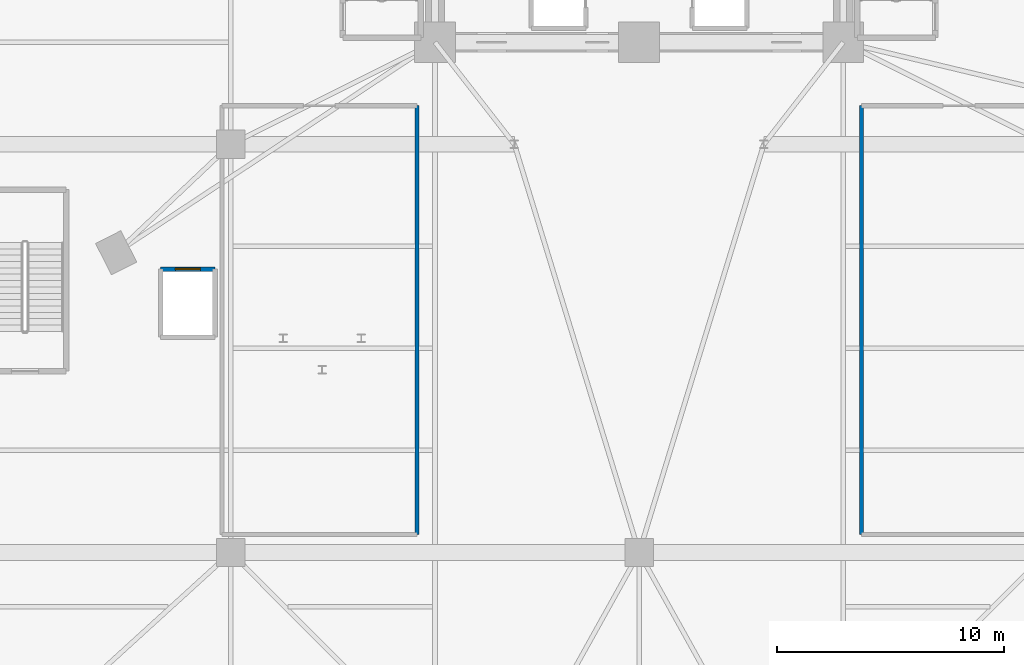
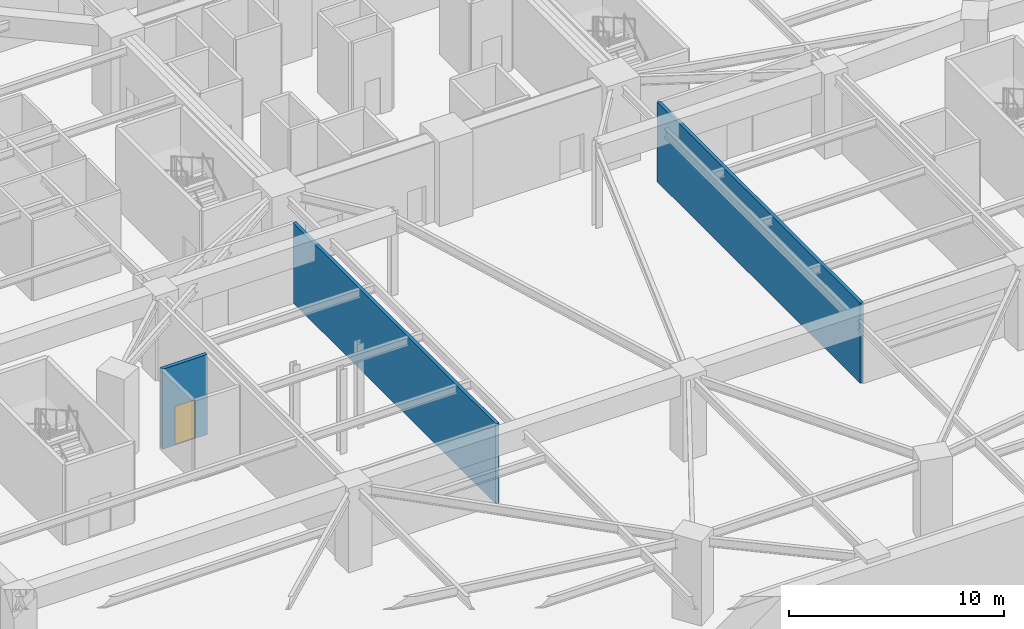
# One storey, part 10 of 20: 3 walls, 1 door, 1 opening.
"""IFC4 building model written with IfcOpenShell, lengths in metres."""

from ifc_helpers import new_model, si_unit, direction, frame, frame_2d, origin, place, context, subcontext, project, spatial, rectangle, extrude, source, transform, mapped, material, layer, layer_set, type_object, element, fill, save


model = new_model("IFC4")

# Units and contexts
model_context = context("Model", 3, precision=1e-05, world=origin(), true_north=direction((0.0, 1.0)))
body_context = subcontext(model_context, "Body", "Model", "MODEL_VIEW")
ifc_project = project(units=[si_unit("LENGTHUNIT", "METRE"), si_unit("AREAUNIT", "SQUARE_METRE"), si_unit("VOLUMEUNIT", "CUBIC_METRE"), si_unit("PLANEANGLEUNIT", "RADIAN"), si_unit("MASSUNIT", "GRAM", prefix="KILO")], contexts=[model_context])

# Site, building, storey
site_placement = place(None, origin())
site = spatial("IfcSite", under=ifc_project, at=site_placement, CompositionType="ELEMENT")
building_placement = place(site_placement, origin())
building = spatial("IfcBuilding", under=site, at=building_placement, Name="Liaohun Quay Tower", CompositionType="ELEMENT")
storey_placement = place(building_placement, frame((0.0, 0.0, -4.800048828125)))
storey = spatial("IfcBuildingStorey", under=building, at=storey_placement, Name="B1", CompositionType="ELEMENT", Elevation=-4.800048828125)

# Walls
ifc_material_1 = material(Name="Autoclaved aerated concrete blockwork", Category="masonry")
ifc_layer_1 = layer(ifc_material_1, 0.179931640625, Name="Autoclaved aerated concrete blockwork", Category="masonry")
ifc_layer_set_1 = layer_set([ifc_layer_1], Name="Autoclaved aerated concrete blockwork")
wall_type_1 = type_object("IfcWallType", Name="WAL-PRT-COR", PredefinedType="PARTITIONING", material=ifc_layer_set_1)
for number, where, z_axis, x_axis, name in (
    (1, (50.199951171875, 24.800048828125, 0.0), (0.0, 0.0, 1.0), (0.0, 1.0, 0.0), "B1 Interior Partition Wall 024"),
    (2, (69.800048828125, 24.800048828125, 0.0), (0.0, 0.0, 1.0), (0.0, 1.0, 0.0), "B1 Interior Partition Wall 026"),
):
    element("IfcWall", number, at=place(storey_placement, frame(where, z_axis=z_axis, x_axis=x_axis)), inside=storey, type_object=wall_type_1, Name=name, PredefinedType="PARTITIONING", context=body_context, shape_type="SweptSolid", body=[
        extrude(rectangle(XDim=18.89990234375, YDim=0.179931640625, at=frame_2d((9.449951171875, 0.0))), origin(), (0.0, 0.0, 1.0), 4.550048828125),
    ])

# Wall, opening, door
ifc_material_2 = material(Name="Concrete C50", Category="concrete")
ifc_layer_2 = layer(ifc_material_2, 0.239990234375, Name="Concrete C50", Category="concrete")
ifc_layer_set_2 = layer_set([ifc_layer_2], Name="Concrete C50")
wall_type_2 = type_object("IfcWallType", Name="WAL-SHF-200", PredefinedType="SOLIDWALL", material=ifc_layer_set_2)
wall_placement = place(storey_placement, frame((41.300048828125, 36.5, 0.0), z_axis=(0.0, 0.0, 1.0), x_axis=(-1.0, 0.0, 0.0)))
wall = element("IfcWall", 3, at=wall_placement, inside=storey, type_object=wall_type_2, Name="B1 Lift PD-01 Hoistway Wall N", PredefinedType="SOLIDWALL", context=body_context, shape_type="SweptSolid", body=[
    extrude(rectangle(XDim=2.400146484375, YDim=0.199951171875, at=frame_2d((1.2001953125, 0.0))), origin(), (0.0, 0.0, 1.0), 4.550048828125),
])
shared_shape_1 = source(origin(), body_context, "Body", "SweptSolid", [
    extrude(rectangle(XDim=1.10009765625, YDim=2.199951171875, at=frame_2d((0.550048828125, 1.10009765625))), frame((0.0, 0.10986328125, 0.0), z_axis=(0.0, -1.0, 0.0), x_axis=(1.0, 0.0, 0.0)), (0.0, 0.0, 1.0), 0.219970703125),
])
opening_placement = place(wall_placement, frame((0.64990234375, 0.0, 0.0)))
opening = element("IfcOpeningElement", 4, at=opening_placement, cuts=wall, Name="Opening LD1", PredefinedType="OPENING", context=body_context, shape_type="MappedRepresentation", body=[
    mapped(shared_shape_1, transform((0.0, 0.0, 0.0), x_axis=(1.0, 0.0, 0.0), y_axis=(0.0, 1.0, 0.0), z_axis=(0.0, 0.0, 1.0), scale=1.0)),
])
ifc_material_3 = material(Name="Brushed stainless steel landing door", Category="steel")
door_type = type_object("IfcDoorType", Name="DOR-LFT-1100", OperationType="SLIDING_TO_LEFT", PredefinedType="DOOR", material=ifc_material_3)
shared_shape_2 = source(origin(), body_context, "Body", "SweptSolid", [
    extrude(rectangle(XDim=1.10009765625, YDim=2.199951171875, at=frame_2d((0.550048828125, 1.10009765625))), frame((0.0, 0.02490234375, 0.0), z_axis=(0.0, -1.0, 0.0), x_axis=(1.0, 0.0, 0.0)), (0.0, 0.0, 1.0), 0.050048828125),
])
door_placement = place(opening_placement, origin())
door = element("IfcDoor", 5, at=door_placement, inside=storey, type_object=door_type, Name="B1 Lift PD-01 Sliding Landing Door", OperationType="SLIDING_TO_LEFT", OverallHeight=2.199951171875, OverallWidth=1.10009765625, PredefinedType="DOOR", context=body_context, shape_type="MappedRepresentation", body=[
    mapped(shared_shape_2, transform((0.0, 0.0, 0.0), x_axis=(1.0, 0.0, 0.0), y_axis=(0.0, 1.0, 0.0), z_axis=(0.0, 0.0, 1.0), scale=1.0)),
])
fill(opening, door)

save(model, "model.ifc")
